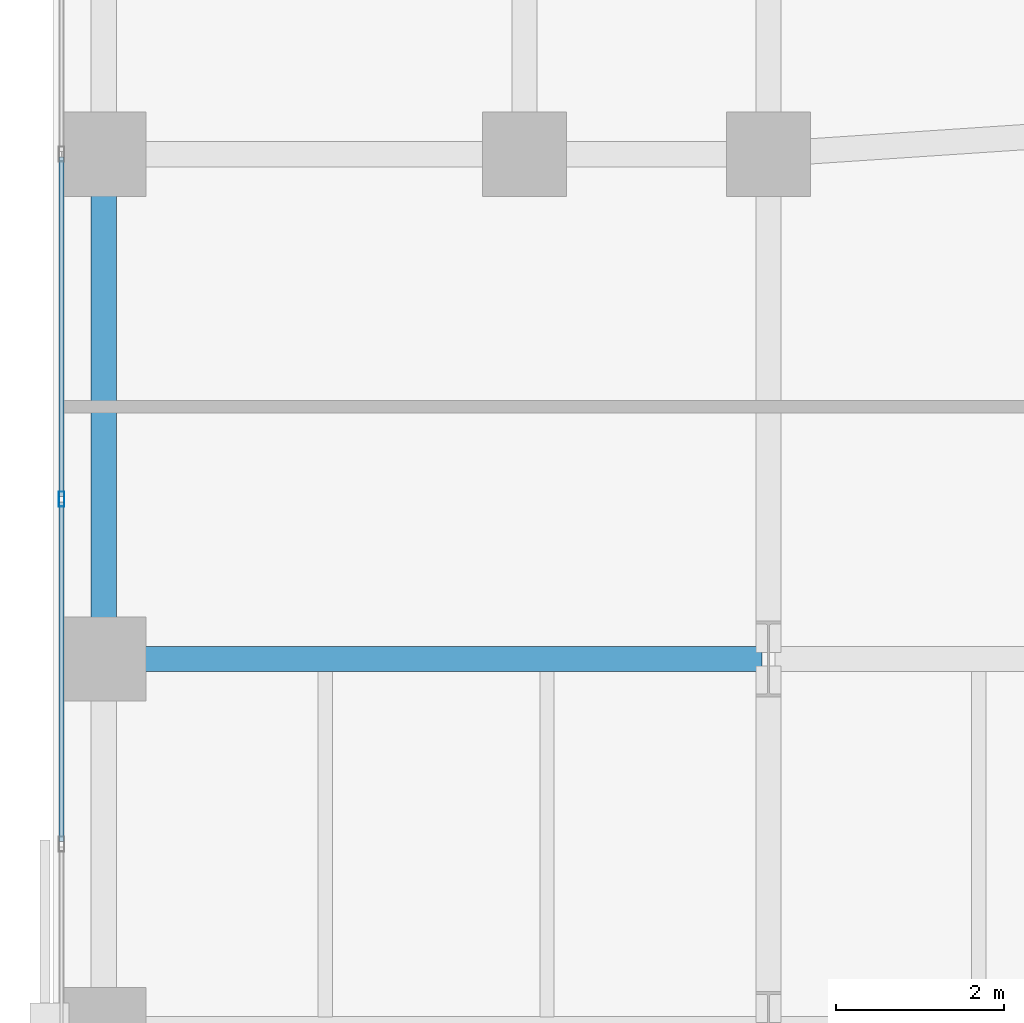
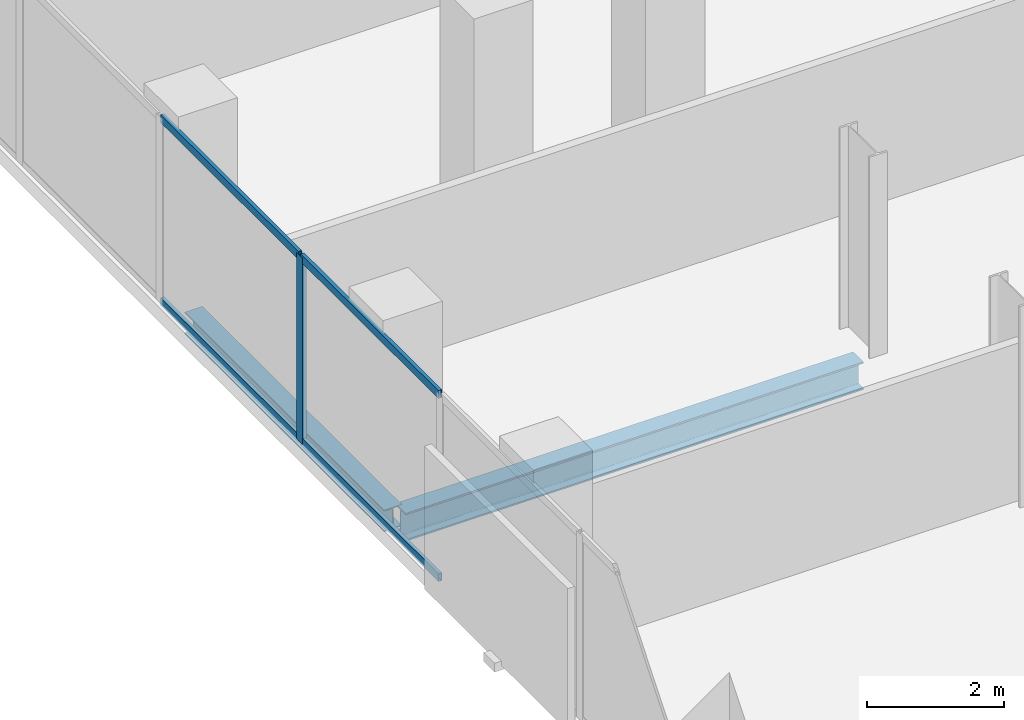
# One storey, part 8 of 31: 5 members, 2 beams, 1 element without a shape of its own.
"""IFC4 building model written with IfcOpenShell, lengths in metres."""

from ifc_helpers import new_model, si_unit, direction, frame, origin, origin_2d, place, context, subcontext, project, spatial, hollow_rectangle, i_section, extrude, material, layer, layer_set, material_profile, profile_set, type_object, element, aggregate, save


model = new_model("IFC4")

# Units and contexts
model_context = context("Model", 3, precision=1e-05, world=origin(), true_north=direction((0.0, 1.0)))
body_context = subcontext(model_context, "Body", "Model", "MODEL_VIEW")
ifc_project = project(units=[si_unit("LENGTHUNIT", "METRE"), si_unit("AREAUNIT", "SQUARE_METRE"), si_unit("VOLUMEUNIT", "CUBIC_METRE"), si_unit("PLANEANGLEUNIT", "RADIAN"), si_unit("MASSUNIT", "GRAM", prefix="KILO")], contexts=[model_context])

# Site, building, storey
site_placement = place(None, origin())
site = spatial("IfcSite", under=ifc_project, at=site_placement, CompositionType="ELEMENT")
building_placement = place(site_placement, origin())
building = spatial("IfcBuilding", under=site, at=building_placement, Name="Catumbela Crestline Tower", CompositionType="ELEMENT")
storey_placement = place(building_placement, frame((0.0, 0.0, 40.2)))
storey = spatial("IfcBuildingStorey", under=building, at=storey_placement, Name="L09", CompositionType="ELEMENT", Elevation=40.2)

# Beam
ifc_material_1 = material(Name="Structural steel S355J2", Category="steel")
ifc_material_profile_1 = material_profile(ifc_material_1, i_section(OverallWidth=0.3, OverallDepth=0.5, WebThickness=0.0145, FlangeThickness=0.028, FilletRadius=0.027, at=origin_2d()), Name="HEB 500")
ifc_profile_set_1 = profile_set([ifc_material_profile_1], Name="Structural steel S355J2")
beam_type_1 = type_object("IfcBeamType", Name="BG-HEB500", PredefinedType="BEAM", material=ifc_profile_set_1)
beam_1_placement = place(storey_placement, frame((0.68, 18.0, -0.51), z_axis=(1.0, 0.0, 0.0), x_axis=(0.0, 1.0, 0.0)))
element("IfcBeam", 1, at=beam_1_placement, inside=storey, type_object=beam_type_1, Name="L09 Beam BM-L09-WEW54", PredefinedType="BEAM", context=body_context, shape_type="SweptSolid", body=[
    extrude(i_section(OverallWidth=0.3, OverallDepth=0.5, WebThickness=0.0145, FlangeThickness=0.028, FilletRadius=0.027, at=origin_2d()), origin(), (0.0, 0.0, 1.0), 7.74),
])

# Curtain wall, member
ifc_material_2 = material(Name="Aluminium alloy AW-6060-T66", Category="aluminium")
ifc_layer = layer(ifc_material_2, 0.18, Name="Aluminium alloy AW-6060-T66")
ifc_layer_set = layer_set([ifc_layer], Name="Aluminium alloy AW-6060-T66")
curtain_wall_type = type_object("IfcCurtainWallType", Name="CWU-Z1", PredefinedType="USERDEFINED", material=ifc_layer_set)
curtain_wall_placement = place(storey_placement, origin())
curtain_wall = element("IfcCurtainWall", 2, at=curtain_wall_placement, inside=storey, type_object=curtain_wall_type, Name="L09 Unitised Curtain Wall CW-L09-E9S1", ObjectType="UNITISED", PredefinedType="USERDEFINED")
ifc_material_profile_2 = material_profile(ifc_material_2, hollow_rectangle(XDim=0.065, YDim=0.18, WallThickness=0.004, at=origin_2d()), Name="ALU 180x65x4")
ifc_profile_set_2 = profile_set([ifc_material_profile_2], Name="Aluminium alloy AW-6060-T66")
member_type_1 = type_object("IfcMemberType", Name="MUL-180X65", PredefinedType="MULLION", material=ifc_profile_set_2)
member_1_placement = place(storey_placement, frame((0.1, 19.9, 0.0), z_axis=(0.0, 0.0, 1.0), x_axis=(1.0, 0.0, 0.0)))
member_1 = element("IfcMember", 3, at=member_1_placement, type_object=member_type_1, Name="CWU-Z1 mullion 7", PredefinedType="MULLION", context=body_context, shape_type="SweptSolid", body=[
    extrude(hollow_rectangle(XDim=0.065, YDim=0.18, WallThickness=0.004, at=origin_2d()), origin(), (0.0, 0.0, 1.0), 3.33),
])

# Beam
ifc_material_profile_3 = material_profile(ifc_material_1, i_section(OverallWidth=0.3, OverallDepth=0.39, WebThickness=0.011, FlangeThickness=0.019, FilletRadius=0.027, at=origin_2d()), Name="HEA 400")
ifc_profile_set_3 = profile_set([ifc_material_profile_3], Name="Structural steel S355J2")
beam_type_2 = type_object("IfcBeamType", Name="BS-HEA400", PredefinedType="SPANDREL", material=ifc_profile_set_3)
beam_2_placement = place(storey_placement, frame((0.6, 18.08, -0.455), z_axis=(0.0, 1.0, 0.0), x_axis=(-1.0, 0.0, 0.0)))
element("IfcBeam", 4, at=beam_2_placement, inside=storey, type_object=beam_type_2, Name="L09 Spandrel SP-L09-WNS60", PredefinedType="SPANDREL", context=body_context, shape_type="SweptSolid", body=[
    extrude(i_section(OverallWidth=0.3, OverallDepth=0.39, WebThickness=0.011, FlangeThickness=0.019, FilletRadius=0.027, at=origin_2d()), origin(), (0.0, 0.0, 1.0), 5.84),
])

# Member
ifc_material_profile_4 = material_profile(ifc_material_2, hollow_rectangle(XDim=0.06, YDim=0.14, WallThickness=0.004, at=origin_2d()), Name="ALU 140x60x4")
ifc_profile_set_4 = profile_set([ifc_material_profile_4], Name="Aluminium alloy AW-6060-T66")
member_type_2 = type_object("IfcMemberType", Name="TRN-140X60", PredefinedType="USERDEFINED", material=ifc_profile_set_4)
member_2_placement = place(storey_placement, frame((0.1, 23.9675, 0.03), z_axis=(0.0, -1.0, 0.0), x_axis=(1.0, 0.0, 0.0)))
member_2 = element("IfcMember", 5, at=member_2_placement, type_object=member_type_2, Name="CWU-Z1 transom 6.1", ObjectType="TRANSOM", PredefinedType="USERDEFINED", context=body_context, shape_type="SweptSolid", body=[
    extrude(hollow_rectangle(XDim=0.06, YDim=0.14, WallThickness=0.004, at=origin_2d()), origin(), (0.0, 0.0, 1.0), 4.035),
])

member_3_placement = place(storey_placement, frame((0.1, 23.9675, 3.3), z_axis=(0.0, -1.0, 0.0), x_axis=(1.0, 0.0, 0.0)))
member_3 = element("IfcMember", 6, at=member_3_placement, type_object=member_type_2, Name="CWU-Z1 transom 6.2", ObjectType="TRANSOM", PredefinedType="USERDEFINED", context=body_context, shape_type="SweptSolid", body=[
    extrude(hollow_rectangle(XDim=0.06, YDim=0.14, WallThickness=0.004, at=origin_2d()), origin(), (0.0, 0.0, 1.0), 4.035),
])

member_4_placement = place(storey_placement, frame((0.1, 19.8675, 0.03), z_axis=(0.0, -1.0, 0.0), x_axis=(1.0, 0.0, 0.0)))
member_4 = element("IfcMember", 7, at=member_4_placement, type_object=member_type_2, Name="CWU-Z1 transom 7.1", ObjectType="TRANSOM", PredefinedType="USERDEFINED", context=body_context, shape_type="SweptSolid", body=[
    extrude(hollow_rectangle(XDim=0.06, YDim=0.14, WallThickness=0.004, at=origin_2d()), origin(), (0.0, 0.0, 1.0), 4.035),
])

member_5_placement = place(storey_placement, frame((0.1, 19.8675, 3.3), z_axis=(0.0, -1.0, 0.0), x_axis=(1.0, 0.0, 0.0)))
member_5 = element("IfcMember", 8, at=member_5_placement, type_object=member_type_2, Name="CWU-Z1 transom 7.2", ObjectType="TRANSOM", PredefinedType="USERDEFINED", context=body_context, shape_type="SweptSolid", body=[
    extrude(hollow_rectangle(XDim=0.06, YDim=0.14, WallThickness=0.004, at=origin_2d()), origin(), (0.0, 0.0, 1.0), 4.035),
])

aggregate(curtain_wall, [member_1, member_2, member_3, member_4, member_5])

save(model, "model.ifc")
